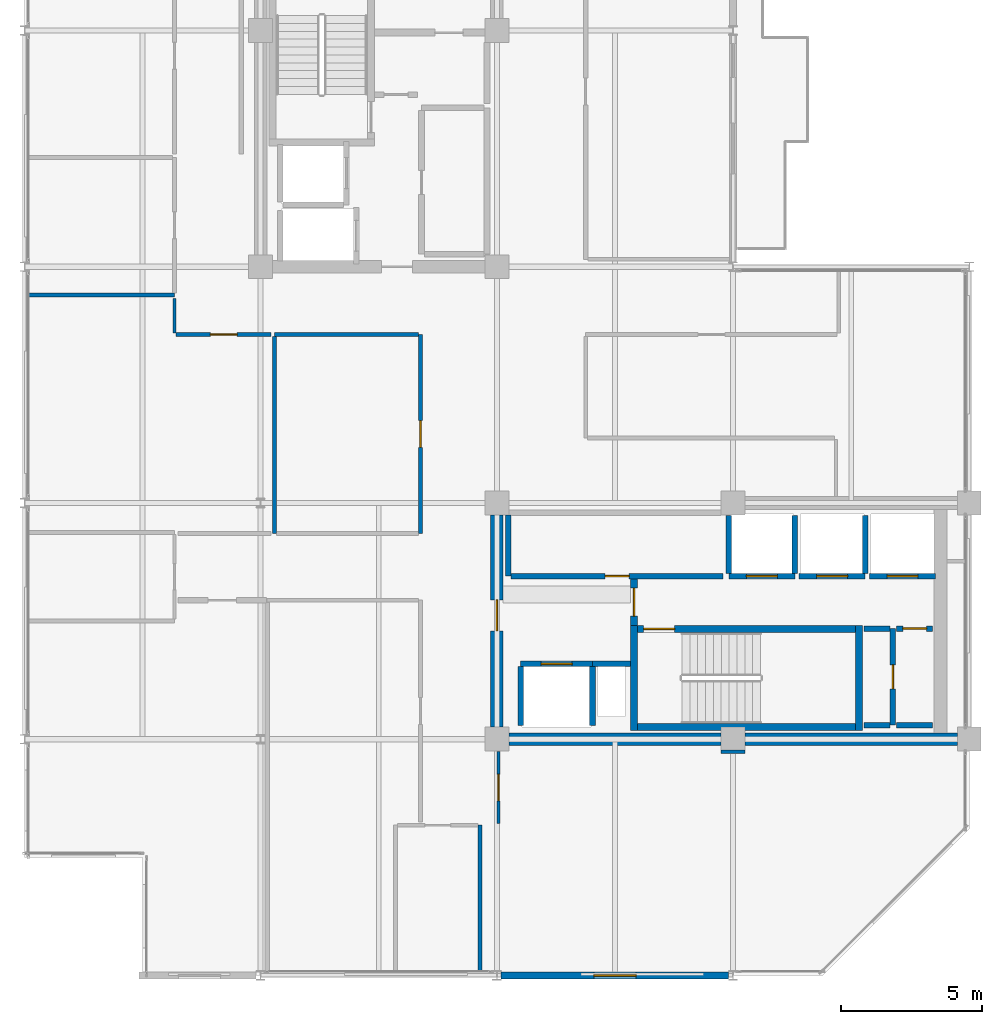
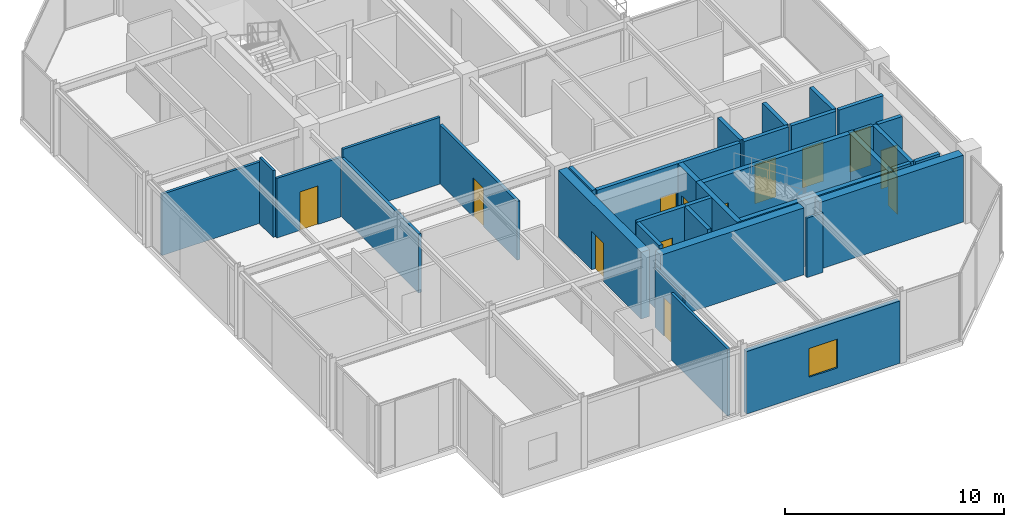
# One storey, part 20 of 24: 35 walls, 13 doors, 1 window, 14 openings.
"""IFC4 building model written with IfcOpenShell, lengths in metres."""

import ifcopenshell
import ifcopenshell.guid

model = None  # the IFC model being written
_history = None  # IfcOwnerHistory: only IFC2X3 demands one
_inside = {}  # id of a spatial element -> (the spatial element, [elements in it])
_under = {}  # id of a project, library or spatial element -> (it, [spatial elements below it])
_declared = {}  # id of a project -> (the project, [libraries it declares])
_typed = {}  # id of a type object -> (the type object, [elements of that type])
_made_of = {}  # id of a material, layer set ... -> (it, [elements and type objects made of it])


def new_model(schema):
    """Start an empty IFC model of exactly this schema.

    Asked for "IFC4X3", IfcOpenShell would pick the latest addendum, in which some entities
    have other attributes; the version numbers below select the first issue.
    IFC2X3 requires an IfcOwnerHistory on every rooted entity: one is made here for all.
    """
    global model, _history
    if schema == "IFC4X3":
        model = ifcopenshell.file(schema_version=(4, 3, 0, 0))
    else:
        model = ifcopenshell.file(schema=schema)
    _inside.clear()
    _under.clear()
    _declared.clear()
    _typed.clear()
    _made_of.clear()
    _history = None
    if model.schema == "IFC2X3":
        org = make("IfcOrganization", Name="unknown")
        user = make(
            "IfcPersonAndOrganization",
            ThePerson=make("IfcPerson", FamilyName="unknown"),
            TheOrganization=org,
        )
        app = make(
            "IfcApplication",
            ApplicationDeveloper=org,
            Version="unknown",
            ApplicationFullName="unknown",
            ApplicationIdentifier="unknown",
        )
        _history = make(
            "IfcOwnerHistory",
            OwningUser=user,
            OwningApplication=app,
            ChangeAction="ADDED",
            CreationDate=0,
        )
    return model


def make(cls, **values):
    """One entity of the class cls with the attributes given. An attribute that is None is left unset."""
    return model.create_entity(
        cls, **{name: value for name, value in values.items() if value is not None}
    )


def rooted(cls, **values):
    """An entity with a GlobalId (a new one), such as an element, a storey or a relation."""
    return make(cls, GlobalId=ifcopenshell.guid.new(), OwnerHistory=_history, **values)


def si_unit(unit_type, name, prefix=None):
    """IfcSIUnit, for example si_unit("LENGTHUNIT", "METRE", prefix="MILLI")."""
    return make("IfcSIUnit", UnitType=unit_type, Prefix=prefix, Name=name)


def assignment(units):
    """IfcUnitAssignment: the units of a project."""
    return None if units is None else make("IfcUnitAssignment", Units=units)


def point(xyz):
    """IfcCartesianPoint."""
    return None if xyz is None else make("IfcCartesianPoint", Coordinates=xyz)


def direction(xyz):
    """IfcDirection."""
    return None if xyz is None else make("IfcDirection", DirectionRatios=xyz)


def frame(location, z_axis=None, x_axis=None):
    """IfcAxis2Placement3D, a coordinate frame: its origin and axes. An axis left out is left unset."""
    return make(
        "IfcAxis2Placement3D",
        Location=point(location),
        Axis=direction(z_axis),
        RefDirection=direction(x_axis),
    )


def frame_2d(location, x_axis=None):
    """IfcAxis2Placement2D, a coordinate frame in the plane: its origin and x axis."""
    return make(
        "IfcAxis2Placement2D", Location=point(location), RefDirection=direction(x_axis)
    )


def origin():
    """The frame at (0, 0, 0) with its axes left unset."""
    return frame((0.0, 0.0, 0.0))


def place(relative_to, where):
    """IfcLocalPlacement: puts the frame where relative to a parent placement (None: the world)."""
    return make(
        "IfcLocalPlacement", PlacementRelTo=relative_to, RelativePlacement=where
    )


def context(
    kind, dimensions, precision=None, world=None, true_north=None, identifier=None
):
    """IfcGeometricRepresentationContext, for example the 3D "Model" context."""
    return make(
        "IfcGeometricRepresentationContext",
        ContextIdentifier=identifier,
        ContextType=kind,
        CoordinateSpaceDimension=dimensions,
        Precision=precision,
        WorldCoordinateSystem=world,
        TrueNorth=true_north,
    )


def subcontext(parent, identifier, kind, view, scale=None):
    """IfcGeometricRepresentationSubContext, for example "Body" below "Model"."""
    return make(
        "IfcGeometricRepresentationSubContext",
        ContextIdentifier=identifier,
        ContextType=kind,
        ParentContext=parent,
        TargetScale=scale,
        TargetView=view,
    )


def project(units=None, contexts=None):
    """IfcProject with its units and contexts."""
    return rooted(
        "IfcProject",
        Name="project",
        RepresentationContexts=contexts,
        UnitsInContext=assignment(units),
    )


def spatial(cls, under=None, at=None, **own):
    """A site, building, storey or space (cls), placed at a placement, below another one or the project."""
    s = rooted(cls, ObjectPlacement=at, **own)
    if under is not None:
        _under.setdefault(under.id(), (under, []))[1].append(s)
    return s


def profile(cls, at=None, kind="AREA", **sizes):
    """A parametric profile (cls). Its sizes go by their IFC names, for example OverallWidth=200.0."""
    return make(cls, ProfileType=kind, Position=at, **sizes)


def rectangle(**sizes):
    """IfcRectangleProfileDef."""
    return profile("IfcRectangleProfileDef", **sizes)


def extrude(swept, where, along, depth):
    """IfcExtrudedAreaSolid: the profile swept, set in the frame where, extruded along a direction by depth."""
    return make(
        "IfcExtrudedAreaSolid",
        SweptArea=swept,
        Position=where,
        ExtrudedDirection=direction(along),
        Depth=depth,
    )


def shape(context_of_items, identifier, shape_type, items):
    """IfcShapeRepresentation: the items that make up one representation, for example the "Body"."""
    return make(
        "IfcShapeRepresentation",
        ContextOfItems=context_of_items,
        RepresentationIdentifier=identifier,
        RepresentationType=shape_type,
        Items=items,
    )


def material(Name=None, Category=None):
    """IfcMaterial."""
    return make("IfcMaterial", Name=Name, Category=Category)


def layer(
    of_material, thickness, ventilated=None, Name=None, Category=None, Priority=None
):
    """IfcMaterialLayer: one layer of a wall or slab, of a material (None: an air gap)."""
    return make(
        "IfcMaterialLayer",
        Material=of_material,
        LayerThickness=thickness,
        IsVentilated=ventilated,
        Name=Name,
        Category=Category,
        Priority=Priority,
    )


def layer_set(layers, Name=None):
    """IfcMaterialLayerSet."""
    return make("IfcMaterialLayerSet", MaterialLayers=layers, LayerSetName=Name)


def made_of(thing, what):
    """Note that an element or type object is made of a material, layer set ...; save() writes the relation."""
    if what is not None:
        _made_of.setdefault(what.id(), (what, []))[1].append(thing)
    return thing


def type_object(cls, material=None, **own):
    """A type object (cls), such as IfcWallType, which elements share."""
    return made_of(rooted(cls, **own), material)


def element(
    cls,
    number,
    at=None,
    inside=None,
    cuts=None,
    type_object=None,
    material=None,
    context=None,
    identifier="Body",
    shape_type=None,
    held_by="IfcProductDefinitionShape",
    body=None,
    shapes=None,
    **own,
):
    """One element of the class cls, such as IfcWall. Its Tag is "e" and its number.

    at: its placement. inside: the storey or other place that contains it. cuts: it is an
    opening in that element (IfcRelVoidsElement). A single representation is given by context,
    identifier, shape_type and body (its items); several are given by shapes. held_by: the class
    of the entity that holds the representations. save() writes the other relations.
    """
    e = rooted(cls, Tag="e%d" % number, ObjectPlacement=at, **own)
    if body is not None:
        shapes = [shape(context, identifier, shape_type, body)]
    if shapes is not None:
        e.Representation = make(held_by, Representations=shapes)
    if inside is not None:
        _inside.setdefault(inside.id(), (inside, []))[1].append(e)
    if cuts is not None:
        rooted(
            "IfcRelVoidsElement", RelatingBuildingElement=cuts, RelatedOpeningElement=e
        )
    if type_object is not None:
        _typed.setdefault(type_object.id(), (type_object, []))[1].append(e)
    return made_of(e, material)


def fill(opening, filler):
    """IfcRelFillsElement: the door or window that sits in an opening."""
    return rooted(
        "IfcRelFillsElement",
        RelatingOpeningElement=opening,
        RelatedBuildingElement=filler,
    )


def aggregate(whole, parts):
    """IfcRelAggregates: a whole, such as a stair, and the parts it consists of."""
    return rooted("IfcRelAggregates", RelatingObject=whole, RelatedObjects=parts)


def save(model, path):
    """Write the relations noted so far, then the file.

    IfcRelAggregates (storeys below a building ...), IfcRelContainedInSpatialStructure (elements
    in a storey), IfcRelDefinesByType, IfcRelAssociatesMaterial and IfcRelDeclares: one each for
    every whole, place, type object, material and project.
    """
    for whole, parts in _under.values():
        aggregate(whole, parts)
    for where, things in _inside.values():
        rooted(
            "IfcRelContainedInSpatialStructure",
            RelatedElements=things,
            RelatingStructure=where,
        )
    for kind, things in _typed.values():
        rooted("IfcRelDefinesByType", RelatedObjects=things, RelatingType=kind)
    for what, things in _made_of.values():
        rooted("IfcRelAssociatesMaterial", RelatedObjects=things, RelatingMaterial=what)
    for by, libraries in _declared.values():
        rooted("IfcRelDeclares", RelatingContext=by, RelatedDefinitions=libraries)
    model.write(path)


model = new_model("IFC4")

# Units and contexts
model_context = context("Model", 3, precision=1e-05, world=origin(), true_north=direction((0.0, 1.0)))
body_context = subcontext(model_context, "Body", "Model", "MODEL_VIEW")
ifc_project = project(units=[si_unit("LENGTHUNIT", "METRE"), si_unit("AREAUNIT", "SQUARE_METRE"), si_unit("VOLUMEUNIT", "CUBIC_METRE"), si_unit("PLANEANGLEUNIT", "RADIAN"), si_unit("MASSUNIT", "GRAM", prefix="KILO")], contexts=[model_context])

# Site, building, storey
site_placement = place(None, origin())
site = spatial("IfcSite", under=ifc_project, at=site_placement, CompositionType="ELEMENT")
building_placement = place(site_placement, origin())
building = spatial("IfcBuilding", under=site, at=building_placement, Name="Nerrivon Quay Data Exchange", CompositionType="ELEMENT")
storey_placement = place(building_placement, frame((0.0, 0.0, 310.199951171875)))
storey = spatial("IfcBuildingStorey", under=building, at=storey_placement, Name="L74", CompositionType="ELEMENT", Elevation=310.199951171875)

# Wall, opening, window
ifc_material_1 = material(Name="Architectural terracotta precast concrete N50 (50 MPa)", Category="masonry")
ifc_layer_1 = layer(ifc_material_1, 0.239990234375)
ifc_layer_set_1 = layer_set([ifc_layer_1], Name="Architectural terracotta precast concrete N50 (50 MPa)")
wall_type_1 = type_object("IfcWallType", Name="EW-PREC-240", PredefinedType="STANDARD", material=ifc_layer_set_1)
wall_1_placement = place(storey_placement, frame((25.04443359375, 0.0, 0.0), z_axis=(0.0, 0.0, 1.0), x_axis=(-1.0, 0.0, 0.0)))
wall_1 = element("IfcWall", 1, at=wall_1_placement, inside=storey, type_object=wall_type_1, Name="L74 Podium Precast Spandrel Wall 3", PredefinedType="STANDARD", context=body_context, shape_type="SweptSolid", body=[
    extrude(rectangle(XDim=8.0888671875, YDim=0.239990234375, at=frame_2d((4.04443359375, 0.0))), origin(), (0.0, 0.0, 1.0), 3.47509765625),
])
opening_1_placement = place(wall_1_placement, frame((3.29443359375, 0.0, 0.89990234375)))
opening_1 = element("IfcOpeningElement", 2, at=opening_1_placement, cuts=wall_1, Name="Opening WN4", PredefinedType="OPENING", context=body_context, shape_type="SweptSolid", body=[
    extrude(rectangle(XDim=1.5, YDim=1.60009765625, at=frame_2d((0.75, 0.800048828125))), frame((0.0, 0.1298828125, 0.0), z_axis=(0.0, -1.0, 0.0), x_axis=(1.0, 0.0, 0.0)), (0.0, 0.0, 1.0), 0.260009765625),
])
ifc_material_2 = material(Name="Double-glazed low-E solar control glass", Category="glass")
window_type = type_object("IfcWindowType", Name="WIN-W4-1500x1600", PartitioningType="SINGLE_PANEL", PredefinedType="WINDOW", material=ifc_material_2)
window_placement = place(opening_1_placement, origin())
window = element("IfcWindow", 3, at=window_placement, inside=storey, type_object=window_type, Name="L74 Solar Facade Window 3", OverallHeight=1.60009765625, OverallWidth=1.5, PartitioningType="SINGLE_PANEL", PredefinedType="WINDOW", context=body_context, shape_type="SweptSolid", body=[
    extrude(rectangle(XDim=1.5, YDim=1.60009765625, at=frame_2d((0.75, 0.800048828125))), frame((0.0, 0.030029296875, 0.0), z_axis=(0.0, -1.0, 0.0), x_axis=(1.0, 0.0, 0.0)), (0.0, 0.0, 1.0), 0.06005859375),
])
fill(opening_1, window)

# Walls
ifc_material_3 = material(Name="Concrete N50 (50 MPa)", Category="concrete")
ifc_layer_2 = layer(ifc_material_3, 0.449951171875)
ifc_layer_set_2 = layer_set([ifc_layer_2], Name="Concrete N50 (50 MPa)")
wall_type_2 = type_object("IfcWallType", Name="WALL-CW-550", PredefinedType="SHEAR", material=ifc_layer_set_2)
wall_2_placement = place(storey_placement, frame((17.22509765625, 8.39990234375, 0.0), z_axis=(0.0, 0.0, 1.0), x_axis=(1.0, 0.0, 0.0)))
element("IfcWall", 4, at=wall_2_placement, inside=storey, type_object=wall_type_2, Name="L74 East Split-Core Shear Wall ECW-S1", PredefinedType="SHEAR", context=body_context, shape_type="SweptSolid", body=[
    extrude(rectangle(XDim=7.5498046875, YDim=0.449951171875, at=frame_2d((3.77490234375, 0.0))), origin(), (0.0, 0.0, 1.0), 3.72509765625),
])
wall_3_placement = place(storey_placement, frame((25.625, 8.39990234375, 0.0), z_axis=(0.0, 0.0, 1.0), x_axis=(1.0, 0.0, 0.0)))
element("IfcWall", 5, at=wall_3_placement, inside=storey, type_object=wall_type_2, Name="L74 East Split-Core Shear Wall ECW-S2", PredefinedType="SHEAR", context=body_context, shape_type="SweptSolid", body=[
    extrude(rectangle(XDim=7.550048828125, YDim=0.449951171875, at=frame_2d((3.77490234375, 0.0))), origin(), (0.0, 0.0, 1.0), 3.72509765625),
])

# Wall, opening, door
wall_4_placement = place(storey_placement, frame((16.800048828125, 8.824951171875, 0.0), z_axis=(0.0, 0.0, 1.0), x_axis=(0.0, 1.0, 0.0)))
wall_4 = element("IfcWall", 6, at=wall_4_placement, inside=storey, type_object=wall_type_2, Name="L74 East Split-Core Shear Wall ECW-W1", PredefinedType="SHEAR", context=body_context, shape_type="SweptSolid", body=[
    extrude(rectangle(XDim=7.550048828125, YDim=0.449951171875, at=frame_2d((3.77490234375, 0.0))), origin(), (0.0, 0.0, 1.0), 3.72509765625),
])
opening_2_placement = place(wall_4_placement, frame((3.425048828125, 0.0, 0.0)))
opening_2 = element("IfcOpeningElement", 7, at=opening_2_placement, cuts=wall_4, Name="Opening FD-120", PredefinedType="OPENING", context=body_context, shape_type="SweptSolid", body=[
    extrude(rectangle(XDim=1.10009765625, YDim=2.14990234375, at=frame_2d((0.550048828125, 1.074951171875))), frame((0.0, 0.23486328125, 0.0), z_axis=(0.0, -1.0, 0.0), x_axis=(1.0, 0.0, 0.0)), (0.0, 0.0, 1.0), 0.469970703125),
])
ifc_material_4 = material(Name="Powder-coated galvanized steel sheet", Category="steel")
door_type_1 = type_object("IfcDoorType", Name="DR-FD120-1100", OperationType="NOTDEFINED", PredefinedType="DOOR", material=ifc_material_4)
door_1_placement = place(opening_2_placement, origin())
door_1 = element("IfcDoor", 8, at=door_1_placement, inside=storey, type_object=door_type_1, Name="L74 East Core Lobby Fire Door", OperationType="SINGLE_SWING_RIGHT", OverallHeight=2.14990234375, OverallWidth=1.10009765625, PredefinedType="DOOR", context=body_context, shape_type="SweptSolid", body=[
    extrude(rectangle(XDim=1.10009765625, YDim=2.14990234375, at=frame_2d((0.550048828125, 1.074951171875))), frame((0.0, 0.02490234375, 0.0), z_axis=(0.0, -1.0, 0.0), x_axis=(1.0, 0.0, 0.0)), (0.0, 0.0, 1.0), 0.050048828125),
])
fill(opening_2, door_1)

# Wall
ifc_material_5 = material(Name="Gypsum plasterboard on cold-formed framing", Category="gypsum")
ifc_layer_3 = layer(ifc_material_5, 0.199951171875)
ifc_layer_set_3 = layer_set([ifc_layer_3], Name="Gypsum plasterboard on cold-formed framing")
wall_type_3 = type_object("IfcWallType", Name="WALL-FW-200", PredefinedType="PARTITIONING", material=ifc_layer_set_3)
wall_5_placement = place(storey_placement, frame((20.199951171875, 11.080078125, 0.0), z_axis=(0.0, 0.0, 1.0), x_axis=(1.0, 0.0, 0.0)))
element("IfcWall", 9, at=wall_5_placement, inside=storey, type_object=wall_type_3, Name="L74 East Core MEP Riser Shaft Wall N", PredefinedType="PARTITIONING", context=body_context, shape_type="SweptSolid", body=[
    extrude(rectangle(XDim=1.35009765625, YDim=0.199951171875, at=frame_2d((0.675048828125, 0.0))), origin(), (0.0, 0.0, 1.0), 3.72509765625),
])

# Wall, opening, door
wall_6_placement = place(storey_placement, frame((17.64990234375, 11.080078125, 0.0), z_axis=(0.0, 0.0, 1.0), x_axis=(1.0, 0.0, 0.0)))
wall_6 = element("IfcWall", 10, at=wall_6_placement, inside=storey, type_object=wall_type_3, Name="L74 Lift Front Wall FFL-2", PredefinedType="PARTITIONING", context=body_context, shape_type="SweptSolid", body=[
    extrude(rectangle(XDim=2.550048828125, YDim=0.199951171875, at=frame_2d((1.27490234375, 0.0))), origin(), (0.0, 0.0, 1.0), 3.72509765625),
])
opening_3_placement = place(wall_6_placement, frame((0.72509765625, 0.0, 0.0)))
opening_3 = element("IfcOpeningElement", 11, at=opening_3_placement, cuts=wall_6, Name="Opening LD-120", PredefinedType="OPENING", context=body_context, shape_type="SweptSolid", body=[
    extrude(rectangle(XDim=1.10009765625, YDim=2.199951171875, at=frame_2d((0.550048828125, 1.10009765625))), frame((0.0, 0.10986328125, 0.0), z_axis=(0.0, -1.0, 0.0), x_axis=(1.0, 0.0, 0.0)), (0.0, 0.0, 1.0), 0.219970703125),
])
door_type_2 = type_object("IfcDoorType", Name="DR-LIFT-LD120", OperationType="DOUBLE_DOOR_SLIDING", PredefinedType="DOOR", material=ifc_material_4)
door_2_placement = place(opening_3_placement, origin())
door_2 = element("IfcDoor", 12, at=door_2_placement, inside=storey, type_object=door_type_2, Name="L74 Lift Landing Sliding Door FFL-2", OperationType="DOUBLE_DOOR_SLIDING", OverallHeight=2.199951171875, OverallWidth=1.10009765625, PredefinedType="DOOR", context=body_context, shape_type="SweptSolid", body=[
    extrude(rectangle(XDim=1.10009765625, YDim=2.199951171875, at=frame_2d((0.550048828125, 1.10009765625))), frame((0.0, 0.02490234375, 0.0), z_axis=(0.0, -1.0, 0.0), x_axis=(1.0, 0.0, 0.0)), (0.0, 0.0, 1.0), 0.050048828125),
])
fill(opening_3, door_2)

# Walls
for number, where, z_axis, x_axis, name in (
    (13, (20.199951171875, 8.8798828125, 0.0), (0.0, 0.0, 1.0), (0.0, 1.0, 0.0), "L74 Lift Shaft Wall FFL-2 EAST"),
    (14, (17.64990234375, 8.8798828125, 0.0), (0.0, 0.0, 1.0), (0.0, 1.0, 0.0), "L74 Lift Shaft Wall FFL-2 WEST"),
):
    element("IfcWall", number, at=place(storey_placement, frame(where, z_axis=z_axis, x_axis=x_axis)), inside=storey, type_object=wall_type_3, Name=name, PredefinedType="PARTITIONING", context=body_context, shape_type="SweptSolid", body=[
        extrude(rectangle(XDim=2.10009765625, YDim=0.199951171875, at=frame_2d((1.050048828125, 0.0))), origin(), (0.0, 0.0, 1.0), 3.72509765625),
    ])

# Wall, opening, door
wall_7_placement = place(storey_placement, frame((25.050048828125, 14.199951171875, 0.0), z_axis=(0.0, 0.0, 1.0), x_axis=(1.0, 0.0, 0.0)))
wall_7 = element("IfcWall", 15, at=wall_7_placement, inside=storey, type_object=wall_type_3, Name="L74 Lift Front Wall PL7", PredefinedType="PARTITIONING", context=body_context, shape_type="SweptSolid", body=[
    extrude(rectangle(XDim=2.349853515625, YDim=0.199951171875, at=frame_2d((1.1748046875, 0.0))), origin(), (0.0, 0.0, 1.0), 3.72509765625),
])
opening_4_placement = place(wall_7_placement, frame((0.625, 0.0, 0.0)))
opening_4 = element("IfcOpeningElement", 16, at=opening_4_placement, cuts=wall_7, Name="Opening LD-120", PredefinedType="OPENING", context=body_context, shape_type="SweptSolid", body=[
    extrude(rectangle(XDim=1.10009765625, YDim=2.199951171875, at=frame_2d((0.550048828125, 1.10009765625))), frame((0.0, 0.10986328125, 0.0), z_axis=(0.0, -1.0, 0.0), x_axis=(1.0, 0.0, 0.0)), (0.0, 0.0, 1.0), 0.219970703125),
])
door_3_placement = place(opening_4_placement, origin())
door_3 = element("IfcDoor", 17, at=door_3_placement, inside=storey, type_object=door_type_2, Name="L74 Lift Landing Sliding Door PL7", OperationType="DOUBLE_DOOR_SLIDING", OverallHeight=2.199951171875, OverallWidth=1.10009765625, PredefinedType="DOOR", context=body_context, shape_type="SweptSolid", body=[
    extrude(rectangle(XDim=1.10009765625, YDim=2.199951171875, at=frame_2d((0.550048828125, 1.10009765625))), frame((0.0, 0.02490234375, 0.0), z_axis=(0.0, -1.0, 0.0), x_axis=(1.0, 0.0, 0.0)), (0.0, 0.0, 1.0), 0.050048828125),
])
fill(opening_4, door_3)

# Walls
for number, where, z_axis, x_axis, name in (
    (18, (27.39990234375, 14.300048828125, 0.0), (0.0, 0.0, 1.0), (0.0, 1.0, 0.0), "L74 Lift Shaft Wall PL7 EAST"),
    (19, (25.050048828125, 14.300048828125, 0.0), (0.0, 0.0, 1.0), (0.0, 1.0, 0.0), "L74 Lift Shaft Wall PL7 WEST"),
):
    element("IfcWall", number, at=place(storey_placement, frame(where, z_axis=z_axis, x_axis=x_axis)), inside=storey, type_object=wall_type_3, Name=name, PredefinedType="PARTITIONING", context=body_context, shape_type="SweptSolid", body=[
        extrude(rectangle(XDim=2.050048828125, YDim=0.199951171875, at=frame_2d((1.02490234375, 0.0))), origin(), (0.0, 0.0, 1.0), 3.72509765625),
    ])

# Wall, opening, door
wall_8_placement = place(storey_placement, frame((27.550048828125, 14.199951171875, 0.0), z_axis=(0.0, 0.0, 1.0), x_axis=(1.0, 0.0, 0.0)))
wall_8 = element("IfcWall", 20, at=wall_8_placement, inside=storey, type_object=wall_type_3, Name="L74 Lift Front Wall PL8", PredefinedType="PARTITIONING", context=body_context, shape_type="SweptSolid", body=[
    extrude(rectangle(XDim=2.349853515625, YDim=0.199951171875, at=frame_2d((1.1748046875, 0.0))), origin(), (0.0, 0.0, 1.0), 3.72509765625),
])
opening_5_placement = place(wall_8_placement, frame((0.625, 0.0, 0.0)))
opening_5 = element("IfcOpeningElement", 21, at=opening_5_placement, cuts=wall_8, Name="Opening LD-120", PredefinedType="OPENING", context=body_context, shape_type="SweptSolid", body=[
    extrude(rectangle(XDim=1.10009765625, YDim=2.199951171875, at=frame_2d((0.550048828125, 1.10009765625))), frame((0.0, 0.10986328125, 0.0), z_axis=(0.0, -1.0, 0.0), x_axis=(1.0, 0.0, 0.0)), (0.0, 0.0, 1.0), 0.219970703125),
])
door_4_placement = place(opening_5_placement, origin())
door_4 = element("IfcDoor", 22, at=door_4_placement, inside=storey, type_object=door_type_2, Name="L74 Lift Landing Sliding Door PL8", OperationType="DOUBLE_DOOR_SLIDING", OverallHeight=2.199951171875, OverallWidth=1.10009765625, PredefinedType="DOOR", context=body_context, shape_type="SweptSolid", body=[
    extrude(rectangle(XDim=1.10009765625, YDim=2.199951171875, at=frame_2d((0.550048828125, 1.10009765625))), frame((0.0, 0.02490234375, 0.0), z_axis=(0.0, -1.0, 0.0), x_axis=(1.0, 0.0, 0.0)), (0.0, 0.0, 1.0), 0.050048828125),
])
fill(opening_5, door_4)

# Wall
wall_9_placement = place(storey_placement, frame((29.89990234375, 14.300048828125, 0.0), z_axis=(0.0, 0.0, 1.0), x_axis=(0.0, 1.0, 0.0)))
element("IfcWall", 23, at=wall_9_placement, inside=storey, type_object=wall_type_3, Name="L74 Lift Shaft Wall PL8 EAST", PredefinedType="PARTITIONING", context=body_context, shape_type="SweptSolid", body=[
    extrude(rectangle(XDim=2.050048828125, YDim=0.199951171875, at=frame_2d((1.02490234375, 0.0))), origin(), (0.0, 0.0, 1.0), 3.72509765625),
])

# Wall, opening, door
wall_10_placement = place(storey_placement, frame((30.050048828125, 14.199951171875, 0.0), z_axis=(0.0, 0.0, 1.0), x_axis=(1.0, 0.0, 0.0)))
wall_10 = element("IfcWall", 24, at=wall_10_placement, inside=storey, type_object=wall_type_3, Name="L74 Lift Front Wall PL9", PredefinedType="PARTITIONING", context=body_context, shape_type="SweptSolid", body=[
    extrude(rectangle(XDim=2.349853515625, YDim=0.199951171875, at=frame_2d((1.1748046875, 0.0))), origin(), (0.0, 0.0, 1.0), 3.72509765625),
])
opening_6_placement = place(wall_10_placement, frame((0.625, 0.0, 0.0)))
opening_6 = element("IfcOpeningElement", 25, at=opening_6_placement, cuts=wall_10, Name="Opening LD-120", PredefinedType="OPENING", context=body_context, shape_type="SweptSolid", body=[
    extrude(rectangle(XDim=1.10009765625, YDim=2.199951171875, at=frame_2d((0.550048828125, 1.10009765625))), frame((0.0, 0.10986328125, 0.0), z_axis=(0.0, -1.0, 0.0), x_axis=(1.0, 0.0, 0.0)), (0.0, 0.0, 1.0), 0.219970703125),
])
door_5_placement = place(opening_6_placement, origin())
door_5 = element("IfcDoor", 26, at=door_5_placement, inside=storey, type_object=door_type_2, Name="L74 Lift Landing Sliding Door PL9", OperationType="DOUBLE_DOOR_SLIDING", OverallHeight=2.199951171875, OverallWidth=1.10009765625, PredefinedType="DOOR", context=body_context, shape_type="SweptSolid", body=[
    extrude(rectangle(XDim=1.10009765625, YDim=2.199951171875, at=frame_2d((0.550048828125, 1.10009765625))), frame((0.0, 0.02490234375, 0.0), z_axis=(0.0, -1.0, 0.0), x_axis=(1.0, 0.0, 0.0)), (0.0, 0.0, 1.0), 0.050048828125),
])
fill(opening_6, door_5)

# Wall
wall_11_placement = place(storey_placement, frame((17.199951171875, 16.3701171875, 0.0), z_axis=(0.0, 0.0, 1.0), x_axis=(0.0, -1.0, 0.0)))
element("IfcWall", 27, at=wall_11_placement, inside=storey, type_object=wall_type_3, Name="L74 Partition High-Zone Patching Archive", PredefinedType="PARTITIONING", context=body_context, shape_type="SweptSolid", body=[
    extrude(rectangle(XDim=2.170166015625, YDim=0.199951171875, at=frame_2d((1.0849609375, 0.0))), origin(), (0.0, 0.0, 1.0), 3.72509765625),
])

# Wall, opening, door
wall_12_placement = place(storey_placement, frame((17.303955078125, 14.199951171875, 0.0), z_axis=(0.0, 0.0, 1.0), x_axis=(1.0, 0.0, 0.0)))
wall_12 = element("IfcWall", 28, at=wall_12_placement, inside=storey, type_object=wall_type_3, Name="L74 Partition High-Zone Patching Archive", PredefinedType="PARTITIONING", context=body_context, shape_type="SweptSolid", body=[
    extrude(rectangle(XDim=7.546142578125, YDim=0.199951171875, at=frame_2d((3.77294921875, 0.0))), origin(), (0.0, 0.0, 1.0), 3.72509765625),
])
opening_7_placement = place(wall_12_placement, frame((3.347900390625, 0.0, 0.0)))
opening_7 = element("IfcOpeningElement", 29, at=opening_7_placement, cuts=wall_12, Name="Opening FD-60S", PredefinedType="OPENING", context=body_context, shape_type="SweptSolid", body=[
    extrude(rectangle(XDim=0.85009765625, YDim=2.14990234375, at=frame_2d((0.425048828125, 1.074951171875))), frame((0.0, 0.10986328125, 0.0), z_axis=(0.0, -1.0, 0.0), x_axis=(1.0, 0.0, 0.0)), (0.0, 0.0, 1.0), 0.219970703125),
])
ifc_material_6 = material(Name="Engineered hardwood timber", Category="wood")
door_type_3 = type_object("IfcDoorType", Name="DR-FD60-850", OperationType="NOTDEFINED", PredefinedType="DOOR", material=ifc_material_6)
door_6_placement = place(opening_7_placement, origin())
door_6 = element("IfcDoor", 30, at=door_6_placement, inside=storey, type_object=door_type_3, Name="L74 Door High-Zone Patching Archive", OperationType="SINGLE_SWING_LEFT", OverallHeight=2.14990234375, OverallWidth=0.85009765625, PredefinedType="DOOR", context=body_context, shape_type="SweptSolid", body=[
    extrude(rectangle(XDim=0.85009765625, YDim=2.14990234375, at=frame_2d((0.425048828125, 1.074951171875))), frame((0.0, 0.02490234375, 0.0), z_axis=(0.0, -1.0, 0.0), x_axis=(1.0, 0.0, 0.0)), (0.0, 0.0, 1.0), 0.050048828125),
])
fill(opening_7, door_6)

wall_13_placement = place(storey_placement, frame((30.8798828125, 8.89990234375, 0.0), z_axis=(0.0, 0.0, 1.0), x_axis=(0.0, 1.0, 0.0)))
wall_13 = element("IfcWall", 31, at=wall_13_placement, inside=storey, type_object=wall_type_3, Name="L74 Partition East Electrical Closet", PredefinedType="PARTITIONING", context=body_context, shape_type="SweptSolid", body=[
    extrude(rectangle(XDim=3.43017578125, YDim=0.199951171875, at=frame_2d((1.715087890625, 0.0))), origin(), (0.0, 0.0, 1.0), 3.72509765625),
])
opening_8_placement = place(wall_13_placement, frame((1.2900390625, 0.0, 0.0)))
opening_8 = element("IfcOpeningElement", 32, at=opening_8_placement, cuts=wall_13, Name="Opening FD-60S", PredefinedType="OPENING", context=body_context, shape_type="SweptSolid", body=[
    extrude(rectangle(XDim=0.85009765625, YDim=2.14990234375, at=frame_2d((0.425048828125, 1.074951171875))), frame((0.0, 0.10986328125, 0.0), z_axis=(0.0, -1.0, 0.0), x_axis=(1.0, 0.0, 0.0)), (0.0, 0.0, 1.0), 0.219970703125),
])
door_7_placement = place(opening_8_placement, origin())
door_7 = element("IfcDoor", 33, at=door_7_placement, inside=storey, type_object=door_type_3, Name="L74 Door East Electrical Closet", OperationType="SINGLE_SWING_RIGHT", OverallHeight=2.14990234375, OverallWidth=0.85009765625, PredefinedType="DOOR", context=body_context, shape_type="SweptSolid", body=[
    extrude(rectangle(XDim=0.85009765625, YDim=2.14990234375, at=frame_2d((0.425048828125, 1.074951171875))), frame((0.0, 0.02490234375, 0.0), z_axis=(0.0, -1.0, 0.0), x_axis=(1.0, 0.0, 0.0)), (0.0, 0.0, 1.0), 0.050048828125),
])
fill(opening_8, door_7)

# Walls
for number, where, z_axis, x_axis, name in (
    (34, (30.77587890625, 12.330078125, 0.0), (0.0, 0.0, 1.0), (-1.0, 0.0, 0.0), "L74 Partition East Electrical Closet"),
    (35, (29.85009765625, 8.89990234375, 0.0), (0.0, 0.0, 1.0), (1.0, 0.0, 0.0), "L74 Partition East Electrical Closet"),
):
    element("IfcWall", number, at=place(storey_placement, frame(where, z_axis=z_axis, x_axis=x_axis)), inside=storey, type_object=wall_type_3, Name=name, PredefinedType="PARTITIONING", context=body_context, shape_type="SweptSolid", body=[
        extrude(rectangle(XDim=0.92578125, YDim=0.199951171875, at=frame_2d((0.462890625, 0.0))), origin(), (0.0, 0.0, 1.0), 3.72509765625),
    ])

# Wall, opening, door
wall_14_placement = place(storey_placement, frame((32.300048828125, 12.330078125, 0.0), z_axis=(0.0, 0.0, 1.0), x_axis=(-1.0, 0.0, 0.0)))
wall_14 = element("IfcWall", 36, at=wall_14_placement, inside=storey, type_object=wall_type_3, Name="L74 Partition East Cleaners Store", PredefinedType="PARTITIONING", context=body_context, shape_type="SweptSolid", body=[
    extrude(rectangle(XDim=1.280029296875, YDim=0.199951171875, at=frame_2d((0.64013671875, 0.0))), origin(), (0.0, 0.0, 1.0), 3.72509765625),
])
opening_9_placement = place(wall_14_placement, frame((0.215087890625, 0.0, 0.0)))
opening_9 = element("IfcOpeningElement", 37, at=opening_9_placement, cuts=wall_14, Name="Opening FD-60S", PredefinedType="OPENING", context=body_context, shape_type="SweptSolid", body=[
    extrude(rectangle(XDim=0.85009765625, YDim=2.14990234375, at=frame_2d((0.425048828125, 1.074951171875))), frame((0.0, 0.10986328125, 0.0), z_axis=(0.0, -1.0, 0.0), x_axis=(1.0, 0.0, 0.0)), (0.0, 0.0, 1.0), 0.219970703125),
])
door_8_placement = place(opening_9_placement, origin())
door_8 = element("IfcDoor", 38, at=door_8_placement, inside=storey, type_object=door_type_3, Name="L74 Door East Cleaners Store", OperationType="SINGLE_SWING_LEFT", OverallHeight=2.14990234375, OverallWidth=0.85009765625, PredefinedType="DOOR", context=body_context, shape_type="SweptSolid", body=[
    extrude(rectangle(XDim=0.85009765625, YDim=2.14990234375, at=frame_2d((0.425048828125, 1.074951171875))), frame((0.0, 0.02490234375, 0.0), z_axis=(0.0, -1.0, 0.0), x_axis=(1.0, 0.0, 0.0)), (0.0, 0.0, 1.0), 0.050048828125),
])
fill(opening_9, door_8)

# Walls
wall_15_placement = place(storey_placement, frame((31.02001953125, 8.89990234375, 0.0), z_axis=(0.0, 0.0, 1.0), x_axis=(1.0, 0.0, 0.0)))
element("IfcWall", 39, at=wall_15_placement, inside=storey, type_object=wall_type_3, Name="L74 Partition East Cleaners Store", PredefinedType="PARTITIONING", context=body_context, shape_type="SweptSolid", body=[
    extrude(rectangle(XDim=1.280029296875, YDim=0.199951171875, at=frame_2d((0.64013671875, 0.0))), origin(), (0.0, 0.0, 1.0), 3.72509765625),
])
ifc_layer_4 = layer(ifc_material_5, 0.1201171875)
ifc_layer_set_4 = layer_set([ifc_layer_4], Name="Gypsum plasterboard on cold-formed framing")
wall_type_4 = type_object("IfcWallType", Name="WALL-PT-120", PredefinedType="PARTITIONING", material=ifc_layer_set_4)
wall_16_placement = place(storey_placement, frame((5.340087890625, 22.85009765625, 0.0), z_axis=(0.0, 0.0, 1.0), x_axis=(0.0, 1.0, 0.0)))
element("IfcWall", 40, at=wall_16_placement, inside=storey, type_object=wall_type_4, Name="L74 Partition Client Conference Room 1", PredefinedType="PARTITIONING", context=body_context, shape_type="SweptSolid", body=[
    extrude(rectangle(XDim=1.225341796875, YDim=0.1201171875, at=frame_2d((0.61279296875, 0.0))), origin(), (0.0, 0.0, 1.0), 3.72509765625),
])
wall_17_placement = place(storey_placement, frame((25.630859375, 7.955810546875, 0.0), z_axis=(0.0, 0.0, 1.0), x_axis=(-0.99999963391, -0.000855675671, 0.0)))
element("IfcWall", 41, at=wall_17_placement, inside=storey, type_object=wall_type_4, Name="L74 Partition Optical Engineering Studios Workspace", PredefinedType="PARTITIONING", context=body_context, shape_type="SweptSolid", body=[
    extrude(rectangle(XDim=0.85595703125, YDim=0.1201171875, at=frame_2d((0.427978515625, 0.0))), origin(), (0.0, 0.0, 1.0), 3.319091796875),
])

# Wall, opening, door
wall_18_placement = place(storey_placement, frame((16.860107421875, 7.955078125, 0.0), z_axis=(0.0, 0.0, 1.0), x_axis=(0.0, -1.0, 0.0)))
wall_18 = element("IfcWall", 42, at=wall_18_placement, inside=storey, type_object=wall_type_4, Name="L74 Partition Optical Engineering Studios Workspace", PredefinedType="PARTITIONING", context=body_context, shape_type="SweptSolid", body=[
    extrude(rectangle(XDim=2.55517578125, YDim=0.1201171875, at=frame_2d((1.277587890625, 0.0))), origin(), (0.0, 0.0, 1.0), 3.319091796875),
])
opening_10_placement = place(wall_18_placement, frame((0.802490234375, 0.0, 0.0)))
opening_10 = element("IfcOpeningElement", 43, at=opening_10_placement, cuts=wall_18, Name="Opening D-01", PredefinedType="OPENING", context=body_context, shape_type="SweptSolid", body=[
    extrude(rectangle(XDim=0.949951171875, YDim=2.14990234375, at=frame_2d((0.47509765625, 1.074951171875))), frame((0.0, 0.070068359375, 0.0), z_axis=(0.0, -1.0, 0.0), x_axis=(1.0, 0.0, 0.0)), (0.0, 0.0, 1.0), 0.14013671875),
])
door_type_4 = type_object("IfcDoorType", Name="DR-INT-950", OperationType="NOTDEFINED", PredefinedType="DOOR", material=ifc_material_6)
door_9_placement = place(opening_10_placement, origin())
door_9 = element("IfcDoor", 44, at=door_9_placement, inside=storey, type_object=door_type_4, Name="L74 Door Optical Engineering Studios Workspace", OperationType="SINGLE_SWING_RIGHT", OverallHeight=2.14990234375, OverallWidth=0.949951171875, PredefinedType="DOOR", context=body_context, shape_type="SweptSolid", body=[
    extrude(rectangle(XDim=0.949951171875, YDim=2.14990234375, at=frame_2d((0.47509765625, 1.074951171875))), frame((0.0, 0.02490234375, 0.0), z_axis=(0.0, -1.0, 0.0), x_axis=(1.0, 0.0, 0.0)), (0.0, 0.0, 1.0), 0.050048828125),
])
fill(opening_10, door_9)

# Walls
ifc_layer_5 = layer(ifc_material_5, 0.135009765625)
ifc_layer_set_5 = layer_set([ifc_layer_5], Name="Gypsum plasterboard on cold-formed framing")
wall_type_5 = type_object("IfcWallType", Name="WALL-PT-135", PredefinedType="PARTITIONING", material=ifc_layer_set_5)
wall_19_placement = place(storey_placement, frame((16.199951171875, 0.1689453125, 0.0), z_axis=(0.0, 0.0, 1.0), x_axis=(0.0, 1.0, 0.0)))
element("IfcWall", 45, at=wall_19_placement, inside=storey, type_object=wall_type_5, Name="L74 Partition Public Washrooms", PredefinedType="PARTITIONING", context=body_context, shape_type="SweptSolid", body=[
    extrude(rectangle(XDim=5.171142578125, YDim=0.135009765625, at=frame_2d((2.58544921875, 0.0))), origin(), (0.0, 0.0, 1.0), 3.72509765625),
])
wall_20_placement = place(storey_placement, frame((0.1689453125, 24.195556640625, 0.0), z_axis=(0.0, 0.0, 1.0), x_axis=(1.0, 0.0, 0.0)))
element("IfcWall", 46, at=wall_20_placement, inside=storey, type_object=wall_type_5, Name="L74 Partition Staff Pantry", PredefinedType="PARTITIONING", context=body_context, shape_type="SweptSolid", body=[
    extrude(rectangle(XDim=5.171142578125, YDim=0.135009765625, at=frame_2d((2.58544921875, 0.0))), origin(), (0.0, 0.0, 1.0), 3.421142578125),
])
wall_21_placement = place(storey_placement, frame((14.010986328125, 22.7900390625, 0.0), z_axis=(0.0, 0.0, 1.0), x_axis=(-1.0, 0.0, 0.0)))
element("IfcWall", 47, at=wall_21_placement, inside=storey, type_object=wall_type_5, Name="L74 Partition Network Security Control", PredefinedType="PARTITIONING", context=body_context, shape_type="SweptSolid", body=[
    extrude(rectangle(XDim=5.117919921875, YDim=0.135009765625, at=frame_2d((2.55908203125, 0.0))), origin(), (0.0, 0.0, 1.0), 3.72509765625),
])

# Wall, opening, door
wall_22_placement = place(storey_placement, frame((8.773193359375, 22.7900390625, 0.0), z_axis=(0.0, 0.0, 1.0), x_axis=(-1.0, 0.0, 0.0)))
wall_22 = element("IfcWall", 48, at=wall_22_placement, inside=storey, type_object=wall_type_5, Name="L74 Partition Client Conference Room 1", PredefinedType="PARTITIONING", context=body_context, shape_type="SweptSolid", body=[
    extrude(rectangle(XDim=3.373291015625, YDim=0.135009765625, at=frame_2d((1.6865234375, 0.0))), origin(), (0.0, 0.0, 1.0), 3.319091796875),
])
opening_11_placement = place(wall_22_placement, frame((1.21142578125, 0.0, 0.0)))
opening_11 = element("IfcOpeningElement", 49, at=opening_11_placement, cuts=wall_22, Name="Opening D-01", PredefinedType="OPENING", context=body_context, shape_type="SweptSolid", body=[
    extrude(rectangle(XDim=0.949951171875, YDim=2.14990234375, at=frame_2d((0.47509765625, 1.074951171875))), frame((0.0, 0.077392578125, 0.0), z_axis=(0.0, -1.0, 0.0), x_axis=(1.0, 0.0, 0.0)), (0.0, 0.0, 1.0), 0.155029296875),
])
door_10_placement = place(opening_11_placement, origin())
door_10 = element("IfcDoor", 50, at=door_10_placement, inside=storey, type_object=door_type_4, Name="L74 Door Client Conference Room 1", OperationType="SINGLE_SWING_LEFT", OverallHeight=2.14990234375, OverallWidth=0.949951171875, PredefinedType="DOOR", context=body_context, shape_type="SweptSolid", body=[
    extrude(rectangle(XDim=0.949951171875, YDim=2.14990234375, at=frame_2d((0.47509765625, 1.074951171875))), frame((0.0, 0.02490234375, 0.0), z_axis=(0.0, -1.0, 0.0), x_axis=(1.0, 0.0, 0.0)), (0.0, 0.0, 1.0), 0.050048828125),
])
fill(opening_11, door_10)

ifc_layer_6 = layer(ifc_material_5, 0.14990234375)
ifc_layer_set_6 = layer_set([ifc_layer_6], Name="Gypsum plasterboard on cold-formed framing")
wall_type_6 = type_object("IfcWallType", Name="WALL-PT-150", PredefinedType="PARTITIONING", material=ifc_layer_set_6)
wall_23_placement = place(storey_placement, frame((14.090087890625, 15.7099609375, 0.0), z_axis=(0.0, 0.0, 1.0), x_axis=(0.0, 1.0, 0.0)))
wall_23 = element("IfcWall", 51, at=wall_23_placement, inside=storey, type_object=wall_type_6, Name="L74 Partition Network Security Control", PredefinedType="PARTITIONING", context=body_context, shape_type="SweptSolid", body=[
    extrude(rectangle(XDim=7.080078125, YDim=0.14990234375, at=frame_2d((3.5400390625, 0.0))), origin(), (0.0, 0.0, 1.0), 3.27099609375),
])
opening_12_placement = place(wall_23_placement, frame((3.06494140625, 0.0, 0.0)))
opening_12 = element("IfcOpeningElement", 52, at=opening_12_placement, cuts=wall_23, Name="Opening D-01", PredefinedType="OPENING", context=body_context, shape_type="SweptSolid", body=[
    extrude(rectangle(XDim=0.949951171875, YDim=2.14990234375, at=frame_2d((0.47509765625, 1.074951171875))), frame((0.0, 0.0849609375, 0.0), z_axis=(0.0, -1.0, 0.0), x_axis=(1.0, 0.0, 0.0)), (0.0, 0.0, 1.0), 0.169921875),
])
door_11_placement = place(opening_12_placement, origin())
door_11 = element("IfcDoor", 53, at=door_11_placement, inside=storey, type_object=door_type_4, Name="L74 Door Network Security Control", OperationType="SINGLE_SWING_LEFT", OverallHeight=2.14990234375, OverallWidth=0.949951171875, PredefinedType="DOOR", context=body_context, shape_type="SweptSolid", body=[
    extrude(rectangle(XDim=0.949951171875, YDim=2.14990234375, at=frame_2d((0.47509765625, 1.074951171875))), frame((0.0, 0.02490234375, 0.0), z_axis=(0.0, -1.0, 0.0), x_axis=(1.0, 0.0, 0.0)), (0.0, 0.0, 1.0), 0.050048828125),
])
fill(opening_12, door_11)

# Walls
wall_24_placement = place(storey_placement, frame((8.89306640625, 22.718505859375, 0.0), z_axis=(0.0, 0.0, 1.0), x_axis=(0.0, -1.0, 0.0)))
element("IfcWall", 54, at=wall_24_placement, inside=storey, type_object=wall_type_6, Name="L74 Partition Network Security Control", PredefinedType="PARTITIONING", context=body_context, shape_type="SweptSolid", body=[
    extrude(rectangle(XDim=7.008544921875, YDim=0.14990234375, at=frame_2d((3.50439453125, 0.0))), origin(), (0.0, 0.0, 1.0), 3.27099609375),
])
ifc_layer_7 = layer(ifc_material_3, 0.25)
ifc_layer_set_7 = layer_set([ifc_layer_7], Name="Concrete N50 (50 MPa)")
wall_type_7 = type_object("IfcWallType", Name="WALL-SW-250", PredefinedType="SHEAR", material=ifc_layer_set_7)
for number, where, z_axis, x_axis, name in (
    (55, (21.675048828125, 8.699951171875, 0.0), (0.0, 0.0, 1.0), (0.0, 1.0, 0.0), "L74 ST02 Structural Stair Core Wall NEAR"),
    (56, (29.675048828125, 8.699951171875, 0.0), (0.0, 0.0, 1.0), (0.0, 1.0, 0.0), "L74 ST02 Structural Stair Core Wall FAR"),
):
    element("IfcWall", number, at=place(storey_placement, frame(where, z_axis=z_axis, x_axis=x_axis)), inside=storey, type_object=wall_type_7, Name=name, PredefinedType="SHEAR", context=body_context, shape_type="SweptSolid", body=[
        extrude(rectangle(XDim=3.75, YDim=0.25, at=frame_2d((1.875, 0.0))), origin(), (0.0, 0.0, 1.0), 3.72509765625),
    ])
wall_25_placement = place(storey_placement, frame((21.800048828125, 8.824951171875, 0.0), z_axis=(0.0, 0.0, 1.0), x_axis=(1.0, 0.0, 0.0)))
element("IfcWall", 57, at=wall_25_placement, inside=storey, type_object=wall_type_7, Name="L74 ST02 Structural Stair Core Wall LEFT", PredefinedType="SHEAR", context=body_context, shape_type="SweptSolid", body=[
    extrude(rectangle(XDim=7.75, YDim=0.25, at=frame_2d((3.875, 0.0))), origin(), (0.0, 0.0, 1.0), 3.72509765625),
])

# Wall, opening, door
wall_26_placement = place(storey_placement, frame((21.800048828125, 12.324951171875, 0.0), z_axis=(0.0, 0.0, 1.0), x_axis=(1.0, 0.0, 0.0)))
wall_26 = element("IfcWall", 58, at=wall_26_placement, inside=storey, type_object=wall_type_7, Name="L74 ST02 Structural Stair Core Wall RIGHT", PredefinedType="SHEAR", context=body_context, shape_type="SweptSolid", body=[
    extrude(rectangle(XDim=7.75, YDim=0.25, at=frame_2d((3.875, 0.0))), origin(), (0.0, 0.0, 1.0), 3.72509765625),
])
opening_13_placement = place(wall_26_placement, frame((0.219970703125, 0.0, 0.0)))
opening_13 = element("IfcOpeningElement", 59, at=opening_13_placement, cuts=wall_26, Name="Opening FD-120", PredefinedType="OPENING", context=body_context, shape_type="SweptSolid", body=[
    extrude(rectangle(XDim=1.10009765625, YDim=2.14990234375, at=frame_2d((0.550048828125, 1.074951171875))), frame((0.0, 0.135009765625, 0.0), z_axis=(0.0, -1.0, 0.0), x_axis=(1.0, 0.0, 0.0)), (0.0, 0.0, 1.0), 0.27001953125),
])
door_12_placement = place(opening_13_placement, origin())
door_12 = element("IfcDoor", 60, at=door_12_placement, inside=storey, type_object=door_type_1, Name="L74 Protected Stair Door ST02", OperationType="SINGLE_SWING_RIGHT", OverallHeight=2.14990234375, OverallWidth=1.10009765625, PredefinedType="DOOR", context=body_context, shape_type="SweptSolid", body=[
    extrude(rectangle(XDim=1.10009765625, YDim=2.14990234375, at=frame_2d((0.550048828125, 1.074951171875))), frame((0.0, 0.02490234375, 0.0), z_axis=(0.0, -1.0, 0.0), x_axis=(1.0, 0.0, 0.0)), (0.0, 0.0, 1.0), 0.050048828125),
])
fill(opening_13, door_12)

wall_27_placement = place(storey_placement, frame((21.679931640625, 12.449951171875, 0.0), z_axis=(0.0, 0.0, 1.0), x_axis=(0.0, 1.0, 0.0)))
wall_27 = element("IfcWall", 61, at=wall_27_placement, inside=storey, type_object=wall_type_7, Name="L74 East Firefighting Lobby Wall", PredefinedType="SHEAR", context=body_context, shape_type="SweptSolid", body=[
    extrude(rectangle(XDim=1.650146484375, YDim=0.25, at=frame_2d((0.8251953125, 0.0))), origin(), (0.0, 0.0, 1.0), 3.72509765625),
])
opening_14_placement = place(wall_27_placement, frame((0.324951171875, 0.0, 0.0)))
opening_14 = element("IfcOpeningElement", 62, at=opening_14_placement, cuts=wall_27, Name="Opening FD-60", PredefinedType="OPENING", context=body_context, shape_type="SweptSolid", body=[
    extrude(rectangle(XDim=1.0, YDim=2.14990234375, at=frame_2d((0.5, 1.074951171875))), frame((0.0, 0.135009765625, 0.0), z_axis=(0.0, -1.0, 0.0), x_axis=(1.0, 0.0, 0.0)), (0.0, 0.0, 1.0), 0.27001953125),
])
door_type_5 = type_object("IfcDoorType", Name="DR-FD60-1000", OperationType="NOTDEFINED", PredefinedType="DOOR", material=ifc_material_6)
door_13_placement = place(opening_14_placement, origin())
door_13 = element("IfcDoor", 63, at=door_13_placement, inside=storey, type_object=door_type_5, Name="L74 East Firefighting Lobby Fire Door", OperationType="SINGLE_SWING_RIGHT", OverallHeight=2.14990234375, OverallWidth=1.0, PredefinedType="DOOR", context=body_context, shape_type="SweptSolid", body=[
    extrude(rectangle(XDim=1.0, YDim=2.14990234375, at=frame_2d((0.5, 1.074951171875))), frame((0.0, 0.02490234375, 0.0), z_axis=(0.0, -1.0, 0.0), x_axis=(1.0, 0.0, 0.0)), (0.0, 0.0, 1.0), 0.050048828125),
])
fill(opening_14, door_13)

save(model, "model.ifc")
